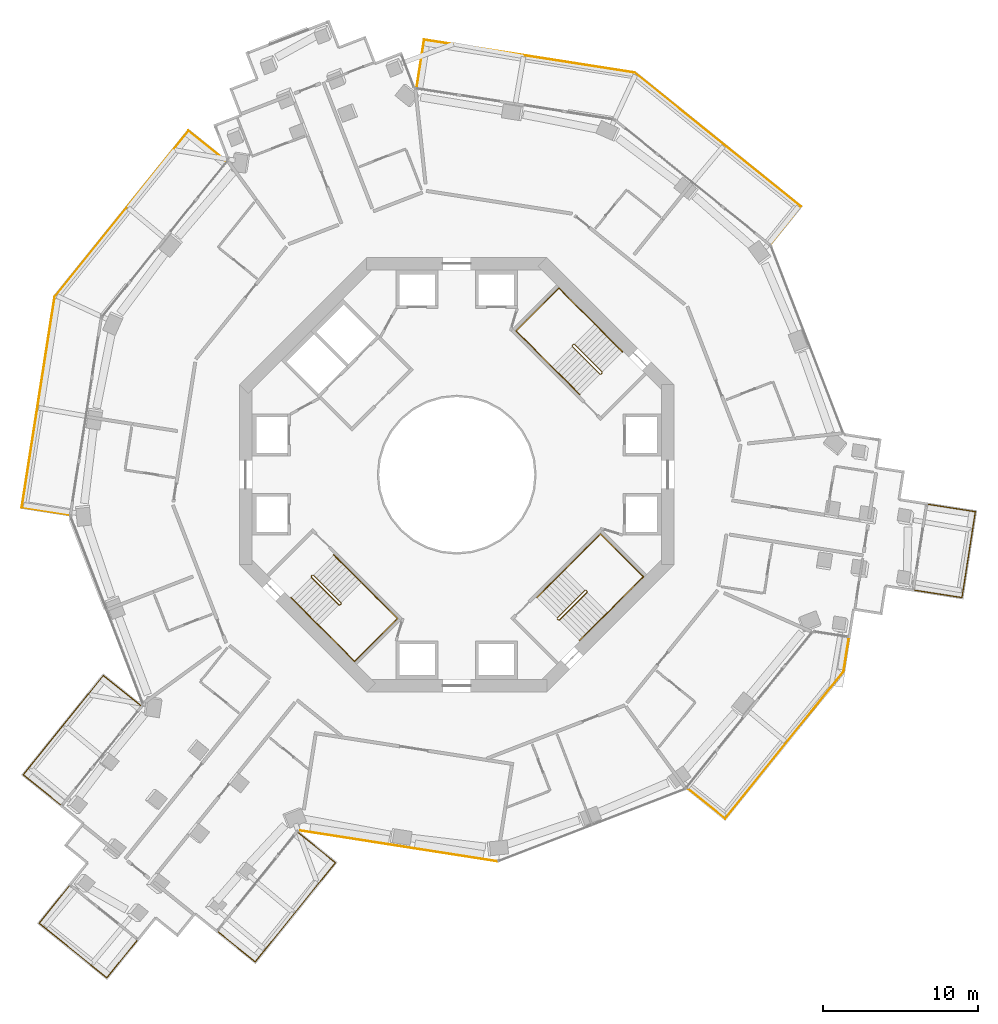
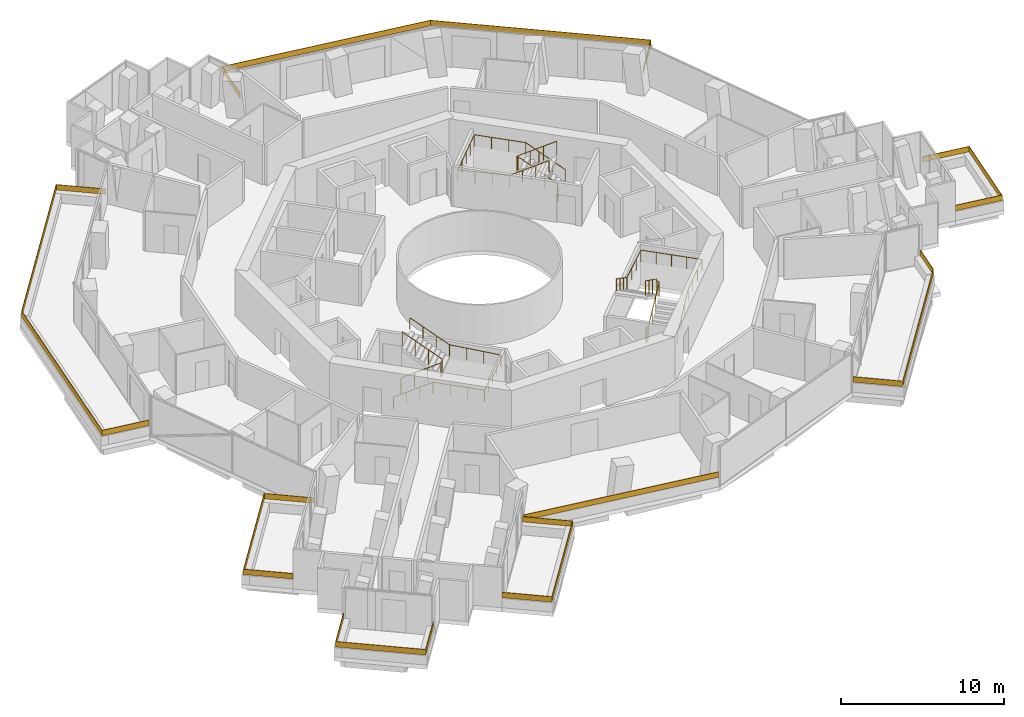
# One storey, part 23 of 23: 14 railings.
"""IFC4 building model written with IfcOpenShell, lengths in metres."""

from ifc_helpers import new_model, si_unit, direction, frame, origin, origin_2d, place, context, subcontext, project, spatial, polyline, rectangle, circle, outline, extrude, material, layer, layer_set, type_object, element, save


model = new_model("IFC4")

# Units and contexts
model_context = context("Model", 3, precision=1e-05, world=origin(), true_north=direction((0.0, 1.0)))
body_context = subcontext(model_context, "Body", "Model", "MODEL_VIEW")
ifc_project = project(units=[si_unit("LENGTHUNIT", "METRE"), si_unit("AREAUNIT", "SQUARE_METRE"), si_unit("VOLUMEUNIT", "CUBIC_METRE"), si_unit("PLANEANGLEUNIT", "RADIAN"), si_unit("MASSUNIT", "GRAM", prefix="KILO")], contexts=[model_context])

# Site, building, storey
site_placement = place(None, origin())
site = spatial("IfcSite", under=ifc_project, at=site_placement, CompositionType="ELEMENT")
building_placement = place(site_placement, origin())
building = spatial("IfcBuilding", under=site, at=building_placement, Name="Verdalira Terraces Hotel", CompositionType="ELEMENT")
storey_placement = place(building_placement, frame((0.0, 0.0, 118.5)))
storey = spatial("IfcBuildingStorey", under=building, at=storey_placement, Name="L28", CompositionType="ELEMENT", Elevation=118.5)

# Railings
ifc_material_1 = material(Name="Laminated glass", Category="glass")
ifc_layer = layer(ifc_material_1, 0.0400390625)
ifc_layer_set = layer_set([ifc_layer], Name="Balcony glass guard 400")
railing_type_1 = type_object("IfcRailingType", Name="Balcony glass guard 400", PredefinedType="GUARDRAIL", material=ifc_layer_set)
railing_1_placement = place(storey_placement, frame((0.0, 0.0, 0.699951)))
element("IfcRailing", 1, at=railing_1_placement, inside=storey, type_object=railing_type_1, Name="Balcony glass guard", PredefinedType="GUARDRAIL", context=body_context, shape_type="SweptSolid", body=[
    extrude(outline(polyline([(-17.2771, 22.126709), (-25.879883, 11.45752), (-27.995605, -2.083496), (-24.953369, -2.558838), (-24.959473, -2.598145), (-28.04126, -2.116699), (-25.917725, 11.474365), (-17.283203, 22.182861), (-14.855225, 20.225098), (-14.880371, 20.193848), (-17.2771, 22.126709)])), origin(), (0.0, 0.0, 1.0), 0.400146),
])
railing_2_placement = place(storey_placement, frame((0.0, 0.0, 0.699951)))
element("IfcRailing", 2, at=railing_2_placement, inside=storey, type_object=railing_type_1, Name="Balcony glass guard", PredefinedType="GUARDRAIL", context=body_context, shape_type="SweptSolid", body=[
    extrude(outline(polyline([(-22.759766, -12.964355), (-27.893311, -19.331055), (-25.496338, -21.263672), (-25.521484, -21.294922), (-27.949463, -19.337158), (-22.765869, -12.908203), (-20.337646, -14.865967), (-20.362793, -14.896973), (-22.759766, -12.964355)])), origin(), (0.0, 0.0, 1.0), 0.400146),
])
railing_3_placement = place(storey_placement, frame((0.0, 0.0, 0.699951)))
element("IfcRailing", 3, at=railing_3_placement, inside=storey, type_object=railing_type_1, Name="Balcony glass guard", PredefinedType="GUARDRAIL", context=body_context, shape_type="SweptSolid", body=[
    extrude(outline(polyline([(-26.868164, -28.892822), (-22.539795, -32.382812), (-20.607178, -29.98584), (-20.575928, -30.010986), (-22.533691, -32.438965), (-26.924316, -28.898926), (-24.966553, -26.470947), (-24.935547, -26.49585), (-26.868164, -28.892822)])), origin(), (0.0, 0.0, 1.0), 0.400146),
])
railing_4_placement = place(storey_placement, frame((0.0, 0.0, 0.699951)))
element("IfcRailing", 4, at=railing_4_placement, inside=storey, type_object=railing_type_1, Name="Balcony glass guard", PredefinedType="GUARDRAIL", context=body_context, shape_type="SweptSolid", body=[
    extrude(outline(polyline([(-12.978027, -31.357666), (-7.844482, -24.990967), (-10.241211, -23.05835), (-10.216064, -23.0271), (-7.788086, -24.984863), (-12.971924, -31.413818), (-15.399902, -29.456055), (-15.375, -29.424805), (-12.978027, -31.357666)])), origin(), (0.0, 0.0, 1.0), 0.400146),
])
railing_5_placement = place(storey_placement, frame((0.0, 0.0, 0.699951)))
element("IfcRailing", 5, at=railing_5_placement, inside=storey, type_object=railing_type_1, Name="Balcony glass guard", PredefinedType="GUARDRAIL", context=body_context, shape_type="SweptSolid", body=[
    extrude(outline(polyline([(17.2771, -22.126709), (24.898926, -12.674316), (25.235107, -10.522461), (25.274658, -10.528809), (24.936768, -12.690918), (17.283203, -22.182861), (14.855225, -20.225098), (14.880371, -20.193848), (17.2771, -22.126709)])), origin(), (0.0, 0.0, 1.0), 0.400146),
])
railing_6_placement = place(storey_placement, frame((0.0, 0.0, 0.699951)))
element("IfcRailing", 6, at=railing_6_placement, inside=storey, type_object=railing_type_1, Name="Balcony glass guard", PredefinedType="GUARDRAIL", context=body_context, shape_type="SweptSolid", body=[
    extrude(outline(polyline([(32.527832, -7.895752), (33.38623, -2.402588), (30.343994, -1.927246), (30.350342, -1.887695), (33.431885, -2.369141), (32.561279, -7.941406), (29.479736, -7.459961), (29.48584, -7.420654), (32.527832, -7.895752)])), origin(), (0.0, 0.0, 1.0), 0.400146),
])
railing_7_placement = place(storey_placement, frame((0.0, 0.0, 0.699951)))
element("IfcRailing", 7, at=railing_7_placement, inside=storey, type_object=railing_type_1, Name="Balcony glass guard", PredefinedType="GUARDRAIL", context=body_context, shape_type="SweptSolid", body=[
    extrude(outline(polyline([(22.126709, 17.2771), (11.45752, 25.879883), (-2.083496, 27.995605), (-2.558838, 24.953369), (-2.598145, 24.959473), (-2.116699, 28.04126), (11.474365, 25.917725), (22.182861, 17.283203), (20.225098, 14.855225), (20.193848, 14.880371), (22.126709, 17.2771)])), origin(), (0.0, 0.0, 1.0), 0.400146),
])
railing_8_placement = place(storey_placement, frame((-3.736816, -23.918213, 0.699951), z_axis=(0.0, 0.0, 1.0), x_axis=(0.98801381, -0.154365514, 0.0)))
element("IfcRailing", 8, at=railing_8_placement, inside=storey, type_object=railing_type_1, Name="Loggia glass guard", PredefinedType="GUARDRAIL", context=body_context, shape_type="SweptSolid", body=[
    extrude(rectangle(XDim=12.840088, YDim=0.040039, at=origin_2d()), origin(), (0.0, 0.0, 1.0), 0.399902),
])
ifc_material_2 = material(Name="Stainless steel", Category="steel")
railing_type_2 = type_object("IfcRailingType", Name="Stair guard 1100", PredefinedType="GUARDRAIL", material=ifc_material_2)
railing_9_placement = place(storey_placement, frame((9.369141, 6.540771, 0.0)))
element("IfcRailing", 9, at=railing_9_placement, inside=storey, type_object=railing_type_2, Name="L28 ST1 stair guard 1", PredefinedType="GUARDRAIL", context=body_context, shape_type="SweptSolid", body=[
    extrude(circle(Radius=0.023926, at=origin_2d()), frame((0.0, 0.0, 1.076172), z_axis=(-0.707106781, -0.707106781, 0.0), x_axis=(0.707106781, -0.707106781, 0.0)), (0.0, 0.0, 1.0), 0.100098),
    extrude(circle(Radius=0.023926, at=origin_2d()), frame((-0.070801, -0.070801, 1.076172), z_axis=(0.300162975, 0.599290904, 0.742127078), x_axis=(-0.894118129, 0.447831187, 0.0)), (0.0, 0.0, 1.0), 0.23584),
    extrude(circle(Radius=0.023926, at=origin_2d()), frame((0.0, 0.070557, 1.250977), z_axis=(-0.599637504, 0.599637504, 0.52997144), x_axis=(-0.707106781, -0.707106781, 0.0)), (0.0, 0.0, 1.0), 2.97168),
    extrude(circle(Radius=0.023926, at=origin_2d()), frame((-1.781982, 1.852539, 2.826172), z_axis=(-1.0, 0.0, 0.0), x_axis=(0.0, -1.0, 0.0)), (0.0, 0.0, 1.0), 0.070557),
    extrude(circle(Radius=0.023926, at=origin_2d()), frame((-1.852539, 1.852539, 2.826172), z_axis=(-0.70832698, -0.705884473, 0.0), x_axis=(0.705884473, -0.70832698, 0.0)), (0.0, 0.0, 1.0), 0.099854),
    extrude(circle(Radius=0.023926, at=origin_2d()), frame((-1.92334, 1.781982, 2.826172), z_axis=(0.0, -0.374954687, 0.92704314), x_axis=(1.0, 0.0, 0.0)), (0.0, 0.0, 1.0), 0.188721),
    extrude(circle(Radius=0.023926, at=origin_2d()), frame((-1.92334, 1.711182, 3.000977), z_axis=(0.599637504, -0.599637504, 0.52997144), x_axis=(0.707106781, 0.707106781, 0.0)), (0.0, 0.0, 1.0), 2.97168),
    extrude(circle(Radius=0.020996, at=origin_2d()), origin(), (0.0, 0.0, 1.0), 1.052002),
    extrude(circle(Radius=0.020996, at=origin_2d()), frame((-0.070801, -0.070801, 0.0)), (0.0, 0.0, 1.0), 1.052002),
    extrude(circle(Radius=0.020996, at=origin_2d()), frame((0.0, 0.070557, 0.175049)), (0.0, 0.0, 1.0), 1.052002),
    extrude(circle(Radius=0.020996, at=origin_2d()), frame((-0.593994, 0.664551, 0.699951)), (0.0, 0.0, 1.0), 1.052002),
    extrude(circle(Radius=0.020996, at=origin_2d()), frame((-1.187988, 1.258545, 1.225098)), (0.0, 0.0, 1.0), 1.052002),
    extrude(circle(Radius=0.020996, at=origin_2d()), frame((-1.781982, 1.852539, 1.75)), (0.0, 0.0, 1.0), 1.052002),
    extrude(circle(Radius=0.020996, at=origin_2d()), frame((-1.852539, 1.852539, 1.75)), (0.0, 0.0, 1.0), 1.052002),
    extrude(circle(Radius=0.020996, at=origin_2d()), frame((-1.92334, 1.781982, 1.75)), (0.0, 0.0, 1.0), 1.052002),
    extrude(circle(Radius=0.020996, at=origin_2d()), frame((-1.92334, 1.711182, 1.925049)), (0.0, 0.0, 1.0), 1.052002),
    extrude(circle(Radius=0.020996, at=origin_2d()), frame((-1.329346, 1.117188, 2.449951)), (0.0, 0.0, 1.0), 1.052002),
    extrude(circle(Radius=0.020996, at=origin_2d()), frame((-0.735352, 0.523193, 2.975098)), (0.0, 0.0, 1.0), 1.052002),
    extrude(circle(Radius=0.020996, at=origin_2d()), frame((-0.141357, -0.070801, 3.5)), (0.0, 0.0, 1.0), 1.052002),
])
railing_10_placement = place(storey_placement, frame((-9.369141, -6.540771, 0.0)))
element("IfcRailing", 10, at=railing_10_placement, inside=storey, type_object=railing_type_2, Name="L28 ST2 stair guard 1", PredefinedType="GUARDRAIL", context=body_context, shape_type="SweptSolid", body=[
    extrude(circle(Radius=0.023926, at=origin_2d()), frame((0.0, 0.0, 1.076172), z_axis=(0.707106781, 0.707106781, 0.0), x_axis=(-0.707106781, 0.707106781, 0.0)), (0.0, 0.0, 1.0), 0.100098),
    extrude(circle(Radius=0.023926, at=origin_2d()), frame((0.070801, 0.070801, 1.076172), z_axis=(-0.300162975, -0.599290904, 0.742127078), x_axis=(0.894118129, -0.447831187, 0.0)), (0.0, 0.0, 1.0), 0.23584),
    extrude(circle(Radius=0.023926, at=origin_2d()), frame((0.0, -0.070557, 1.250977), z_axis=(0.599637504, -0.599637504, 0.52997144), x_axis=(0.707106781, 0.707106781, 0.0)), (0.0, 0.0, 1.0), 2.97168),
    extrude(circle(Radius=0.023926, at=origin_2d()), frame((1.781982, -1.852539, 2.826172), z_axis=(1.0, 0.0, 0.0), x_axis=(0.0, 1.0, 0.0)), (0.0, 0.0, 1.0), 0.070557),
    extrude(circle(Radius=0.023926, at=origin_2d()), frame((1.852539, -1.852539, 2.826172), z_axis=(0.70832698, 0.705884473, 0.0), x_axis=(-0.705884473, 0.70832698, 0.0)), (0.0, 0.0, 1.0), 0.099854),
    extrude(circle(Radius=0.023926, at=origin_2d()), frame((1.92334, -1.781982, 2.826172), z_axis=(0.0, 0.374954687, 0.92704314), x_axis=(-1.0, 0.0, 0.0)), (0.0, 0.0, 1.0), 0.188721),
    extrude(circle(Radius=0.023926, at=origin_2d()), frame((1.92334, -1.711182, 3.000977), z_axis=(-0.599637504, 0.599637504, 0.52997144), x_axis=(-0.707106781, -0.707106781, 0.0)), (0.0, 0.0, 1.0), 2.97168),
    extrude(circle(Radius=0.020996, at=origin_2d()), origin(), (0.0, 0.0, 1.0), 1.052002),
    extrude(circle(Radius=0.020996, at=origin_2d()), frame((0.070801, 0.070801, 0.0)), (0.0, 0.0, 1.0), 1.052002),
    extrude(circle(Radius=0.020996, at=origin_2d()), frame((0.0, -0.070557, 0.175049)), (0.0, 0.0, 1.0), 1.052002),
    extrude(circle(Radius=0.020996, at=origin_2d()), frame((0.593994, -0.664551, 0.699951)), (0.0, 0.0, 1.0), 1.052002),
    extrude(circle(Radius=0.020996, at=origin_2d()), frame((1.187988, -1.258545, 1.225098)), (0.0, 0.0, 1.0), 1.052002),
    extrude(circle(Radius=0.020996, at=origin_2d()), frame((1.781982, -1.852539, 1.75)), (0.0, 0.0, 1.0), 1.052002),
    extrude(circle(Radius=0.020996, at=origin_2d()), frame((1.852539, -1.852539, 1.75)), (0.0, 0.0, 1.0), 1.052002),
    extrude(circle(Radius=0.020996, at=origin_2d()), frame((1.92334, -1.781982, 1.75)), (0.0, 0.0, 1.0), 1.052002),
    extrude(circle(Radius=0.020996, at=origin_2d()), frame((1.92334, -1.711182, 1.925049)), (0.0, 0.0, 1.0), 1.052002),
    extrude(circle(Radius=0.020996, at=origin_2d()), frame((1.329346, -1.117188, 2.449951)), (0.0, 0.0, 1.0), 1.052002),
    extrude(circle(Radius=0.020996, at=origin_2d()), frame((0.735352, -0.523193, 2.975098)), (0.0, 0.0, 1.0), 1.052002),
    extrude(circle(Radius=0.020996, at=origin_2d()), frame((0.141357, 0.070801, 3.5)), (0.0, 0.0, 1.0), 1.052002),
])
railing_11_placement = place(storey_placement, frame((6.540771, -9.369141, 0.0)))
element("IfcRailing", 11, at=railing_11_placement, inside=storey, type_object=railing_type_2, Name="L28 ST3 stair guard 1", PredefinedType="GUARDRAIL", context=body_context, shape_type="SweptSolid", body=[
    extrude(circle(Radius=0.023926, at=origin_2d()), frame((0.0, 0.0, 1.076172), z_axis=(-0.707106781, 0.707106781, 0.0), x_axis=(-0.707106781, -0.707106781, 0.0)), (0.0, 0.0, 1.0), 0.100098),
    extrude(circle(Radius=0.023926, at=origin_2d()), frame((-0.070801, 0.070801, 1.076172), z_axis=(0.599290904, -0.300162975, 0.742127078), x_axis=(0.447831187, 0.894118129, 0.0)), (0.0, 0.0, 1.0), 0.23584),
    extrude(circle(Radius=0.023926, at=origin_2d()), frame((0.070557, 0.0, 1.250977), z_axis=(0.599637504, 0.599637504, 0.52997144), x_axis=(-0.707106781, 0.707106781, 0.0)), (0.0, 0.0, 1.0), 2.97168),
    extrude(circle(Radius=0.023926, at=origin_2d()), frame((1.852539, 1.781982, 2.826172), z_axis=(0.0, 1.0, 0.0), x_axis=(-1.0, 0.0, 0.0)), (0.0, 0.0, 1.0), 0.070557),
    extrude(circle(Radius=0.023926, at=origin_2d()), frame((1.852539, 1.852539, 2.826172), z_axis=(-0.705884473, 0.70832698, 0.0), x_axis=(-0.70832698, -0.705884473, 0.0)), (0.0, 0.0, 1.0), 0.099854),
    extrude(circle(Radius=0.023926, at=origin_2d()), frame((1.781982, 1.92334, 2.826172), z_axis=(-0.374954687, 0.0, 0.92704314), x_axis=(0.0, -1.0, 0.0)), (0.0, 0.0, 1.0), 0.188721),
    extrude(circle(Radius=0.023926, at=origin_2d()), frame((1.711182, 1.92334, 3.000977), z_axis=(-0.599637504, -0.599637504, 0.52997144), x_axis=(0.707106781, -0.707106781, 0.0)), (0.0, 0.0, 1.0), 2.97168),
    extrude(circle(Radius=0.020996, at=origin_2d()), origin(), (0.0, 0.0, 1.0), 1.052002),
    extrude(circle(Radius=0.020996, at=origin_2d()), frame((-0.070801, 0.070801, 0.0)), (0.0, 0.0, 1.0), 1.052002),
    extrude(circle(Radius=0.020996, at=origin_2d()), frame((0.070557, 0.0, 0.175049)), (0.0, 0.0, 1.0), 1.052002),
    extrude(circle(Radius=0.020996, at=origin_2d()), frame((0.664551, 0.593994, 0.699951)), (0.0, 0.0, 1.0), 1.052002),
    extrude(circle(Radius=0.020996, at=origin_2d()), frame((1.258545, 1.187988, 1.225098)), (0.0, 0.0, 1.0), 1.052002),
    extrude(circle(Radius=0.020996, at=origin_2d()), frame((1.852539, 1.781982, 1.75)), (0.0, 0.0, 1.0), 1.052002),
    extrude(circle(Radius=0.020996, at=origin_2d()), frame((1.852539, 1.852539, 1.75)), (0.0, 0.0, 1.0), 1.052002),
    extrude(circle(Radius=0.020996, at=origin_2d()), frame((1.781982, 1.92334, 1.75)), (0.0, 0.0, 1.0), 1.052002),
    extrude(circle(Radius=0.020996, at=origin_2d()), frame((1.711182, 1.92334, 1.925049)), (0.0, 0.0, 1.0), 1.052002),
    extrude(circle(Radius=0.020996, at=origin_2d()), frame((1.117188, 1.329346, 2.449951)), (0.0, 0.0, 1.0), 1.052002),
    extrude(circle(Radius=0.020996, at=origin_2d()), frame((0.523193, 0.735352, 2.975098)), (0.0, 0.0, 1.0), 1.052002),
    extrude(circle(Radius=0.020996, at=origin_2d()), frame((-0.070801, 0.141357, 3.5)), (0.0, 0.0, 1.0), 1.052002),
])
ifc_material_3 = material(Name="Stainless steel", Category="steel")
railing_type_3 = type_object("IfcRailingType", Name="Stair handrail 900", PredefinedType="HANDRAIL", material=ifc_material_3)
railing_12_placement = place(storey_placement, frame((10.677246, 7.919678, 0.175049)))
element("IfcRailing", 12, at=railing_12_placement, inside=storey, type_object=railing_type_3, Name="L28 ST1 stair handrail 1", PredefinedType="HANDRAIL", context=body_context, shape_type="SweptSolid", body=[
    extrude(circle(Radius=0.023926, at=origin_2d()), frame((0.0, 0.0, 0.875977), z_axis=(-0.599614426, 0.599614426, 0.530023659), x_axis=(-0.707106781, -0.707106781, 0.0)), (0.0, 0.0, 1.0), 2.971436),
    extrude(circle(Radius=0.023926, at=origin_2d()), frame((-1.781738, 1.781738, 2.450684), z_axis=(-0.707106781, 0.707106781, 0.0), x_axis=(-0.707106781, -0.707106781, 0.0)), (0.0, 0.0, 1.0), 3.280029),
    extrude(circle(Radius=0.023926, at=origin_2d()), frame((-4.101074, 4.101074, 2.450684), z_axis=(-0.707138081, -0.70707548, 0.0), x_axis=(0.70707548, -0.707138081, 0.0)), (0.0, 0.0, 1.0), 3.899902),
    extrude(circle(Radius=0.023926, at=origin_2d()), frame((-6.858887, 1.343506, 2.450684), z_axis=(0.706101958, -0.706101958, 0.053292116), x_axis=(0.707106781, 0.707106781, 0.0)), (0.0, 0.0, 1.0), 3.284668),
    extrude(circle(Radius=0.023926, at=origin_2d()), frame((-4.539551, -0.97583, 2.625977), z_axis=(0.599637504, -0.599637504, 0.52997144), x_axis=(0.707106781, 0.707106781, 0.0)), (0.0, 0.0, 1.0), 2.97168),
    extrude(circle(Radius=0.020996, at=origin_2d()), origin(), (0.0, 0.0, 1.0), 0.851807),
    extrude(circle(Radius=0.020996, at=origin_2d()), frame((-0.593994, 0.593994, 0.524902)), (0.0, 0.0, 1.0), 0.851807),
    extrude(circle(Radius=0.020996, at=origin_2d()), frame((-1.187744, 1.187744, 1.050049)), (0.0, 0.0, 1.0), 0.851807),
    extrude(circle(Radius=0.020996, at=origin_2d()), frame((-1.781738, 1.781738, 1.574951)), (0.0, 0.0, 1.0), 0.851807),
    extrude(circle(Radius=0.020996, at=origin_2d()), frame((-2.554932, 2.554932, 1.574951)), (0.0, 0.0, 1.0), 0.851807),
    extrude(circle(Radius=0.020996, at=origin_2d()), frame((-3.327881, 3.327881, 1.574951)), (0.0, 0.0, 1.0), 0.851807),
    extrude(circle(Radius=0.020996, at=origin_2d()), frame((-4.101074, 4.101074, 1.574951)), (0.0, 0.0, 1.0), 0.851807),
    extrude(circle(Radius=0.020996, at=origin_2d()), frame((-4.790527, 3.411621, 1.574951)), (0.0, 0.0, 1.0), 0.851807),
    extrude(circle(Radius=0.020996, at=origin_2d()), frame((-5.47998, 2.722168, 1.574951)), (0.0, 0.0, 1.0), 0.851807),
    extrude(circle(Radius=0.020996, at=origin_2d()), frame((-6.169434, 2.032959, 1.574951)), (0.0, 0.0, 1.0), 0.851807),
    extrude(circle(Radius=0.020996, at=origin_2d()), frame((-6.858887, 1.343506, 1.574951)), (0.0, 0.0, 1.0), 0.851807),
    extrude(circle(Radius=0.020996, at=origin_2d()), frame((-6.085693, 0.570312, 1.633301)), (0.0, 0.0, 1.0), 0.851807),
    extrude(circle(Radius=0.020996, at=origin_2d()), frame((-5.312744, -0.202637, 1.69165)), (0.0, 0.0, 1.0), 0.851807),
    extrude(circle(Radius=0.020996, at=origin_2d()), frame((-4.539551, -0.97583, 1.75)), (0.0, 0.0, 1.0), 0.851807),
    extrude(circle(Radius=0.020996, at=origin_2d()), frame((-3.945557, -1.569824, 2.274902)), (0.0, 0.0, 1.0), 0.851807),
    extrude(circle(Radius=0.020996, at=origin_2d()), frame((-3.351562, -2.163818, 2.800049)), (0.0, 0.0, 1.0), 0.851807),
    extrude(circle(Radius=0.020996, at=origin_2d()), frame((-2.757568, -2.757812, 3.324951)), (0.0, 0.0, 1.0), 0.851807),
])
railing_13_placement = place(storey_placement, frame((-10.677246, -7.919678, 0.175049)))
element("IfcRailing", 13, at=railing_13_placement, inside=storey, type_object=railing_type_3, Name="L28 ST2 stair handrail 1", PredefinedType="HANDRAIL", context=body_context, shape_type="SweptSolid", body=[
    extrude(circle(Radius=0.023926, at=origin_2d()), frame((0.0, 0.0, 0.875977), z_axis=(0.599614426, -0.599614426, 0.530023659), x_axis=(0.707106781, 0.707106781, 0.0)), (0.0, 0.0, 1.0), 2.971436),
    extrude(circle(Radius=0.023926, at=origin_2d()), frame((1.781738, -1.781738, 2.450684), z_axis=(0.707106781, -0.707106781, 0.0), x_axis=(0.707106781, 0.707106781, 0.0)), (0.0, 0.0, 1.0), 3.280029),
    extrude(circle(Radius=0.023926, at=origin_2d()), frame((4.101074, -4.101074, 2.450684), z_axis=(0.707138081, 0.70707548, 0.0), x_axis=(-0.70707548, 0.707138081, 0.0)), (0.0, 0.0, 1.0), 3.899902),
    extrude(circle(Radius=0.023926, at=origin_2d()), frame((6.858887, -1.343506, 2.450684), z_axis=(-0.706101958, 0.706101958, 0.053292116), x_axis=(-0.707106781, -0.707106781, 0.0)), (0.0, 0.0, 1.0), 3.284668),
    extrude(circle(Radius=0.023926, at=origin_2d()), frame((4.539551, 0.97583, 2.625977), z_axis=(-0.599637504, 0.599637504, 0.52997144), x_axis=(-0.707106781, -0.707106781, 0.0)), (0.0, 0.0, 1.0), 2.97168),
    extrude(circle(Radius=0.020996, at=origin_2d()), origin(), (0.0, 0.0, 1.0), 0.851807),
    extrude(circle(Radius=0.020996, at=origin_2d()), frame((0.593994, -0.593994, 0.524902)), (0.0, 0.0, 1.0), 0.851807),
    extrude(circle(Radius=0.020996, at=origin_2d()), frame((1.187744, -1.187744, 1.050049)), (0.0, 0.0, 1.0), 0.851807),
    extrude(circle(Radius=0.020996, at=origin_2d()), frame((1.781738, -1.781738, 1.574951)), (0.0, 0.0, 1.0), 0.851807),
    extrude(circle(Radius=0.020996, at=origin_2d()), frame((2.554932, -2.554932, 1.574951)), (0.0, 0.0, 1.0), 0.851807),
    extrude(circle(Radius=0.020996, at=origin_2d()), frame((3.327881, -3.327881, 1.574951)), (0.0, 0.0, 1.0), 0.851807),
    extrude(circle(Radius=0.020996, at=origin_2d()), frame((4.101074, -4.101074, 1.574951)), (0.0, 0.0, 1.0), 0.851807),
    extrude(circle(Radius=0.020996, at=origin_2d()), frame((4.790527, -3.411621, 1.574951)), (0.0, 0.0, 1.0), 0.851807),
    extrude(circle(Radius=0.020996, at=origin_2d()), frame((5.47998, -2.722168, 1.574951)), (0.0, 0.0, 1.0), 0.851807),
    extrude(circle(Radius=0.020996, at=origin_2d()), frame((6.169434, -2.032959, 1.574951)), (0.0, 0.0, 1.0), 0.851807),
    extrude(circle(Radius=0.020996, at=origin_2d()), frame((6.858887, -1.343506, 1.574951)), (0.0, 0.0, 1.0), 0.851807),
    extrude(circle(Radius=0.020996, at=origin_2d()), frame((6.085693, -0.570312, 1.633301)), (0.0, 0.0, 1.0), 0.851807),
    extrude(circle(Radius=0.020996, at=origin_2d()), frame((5.312744, 0.202637, 1.69165)), (0.0, 0.0, 1.0), 0.851807),
    extrude(circle(Radius=0.020996, at=origin_2d()), frame((4.539551, 0.97583, 1.75)), (0.0, 0.0, 1.0), 0.851807),
    extrude(circle(Radius=0.020996, at=origin_2d()), frame((3.945557, 1.569824, 2.274902)), (0.0, 0.0, 1.0), 0.851807),
    extrude(circle(Radius=0.020996, at=origin_2d()), frame((3.351562, 2.163818, 2.800049)), (0.0, 0.0, 1.0), 0.851807),
    extrude(circle(Radius=0.020996, at=origin_2d()), frame((2.757568, 2.757812, 3.324951)), (0.0, 0.0, 1.0), 0.851807),
])
railing_14_placement = place(storey_placement, frame((7.919678, -10.677246, 0.175049)))
element("IfcRailing", 14, at=railing_14_placement, inside=storey, type_object=railing_type_3, Name="L28 ST3 stair handrail 1", PredefinedType="HANDRAIL", context=body_context, shape_type="SweptSolid", body=[
    extrude(circle(Radius=0.023926, at=origin_2d()), frame((0.0, 0.0, 0.875977), z_axis=(0.599614426, 0.599614426, 0.530023659), x_axis=(-0.707106781, 0.707106781, 0.0)), (0.0, 0.0, 1.0), 2.971436),
    extrude(circle(Radius=0.023926, at=origin_2d()), frame((1.781738, 1.781738, 2.450684), z_axis=(0.707106781, 0.707106781, 0.0), x_axis=(-0.707106781, 0.707106781, 0.0)), (0.0, 0.0, 1.0), 3.280029),
    extrude(circle(Radius=0.023926, at=origin_2d()), frame((4.101074, 4.101074, 2.450684), z_axis=(-0.70707548, 0.707138081, 0.0), x_axis=(-0.707138081, -0.70707548, 0.0)), (0.0, 0.0, 1.0), 3.899902),
    extrude(circle(Radius=0.023926, at=origin_2d()), frame((1.343506, 6.858887, 2.450684), z_axis=(-0.706101958, -0.706101958, 0.053292116), x_axis=(0.707106781, -0.707106781, 0.0)), (0.0, 0.0, 1.0), 3.284668),
    extrude(circle(Radius=0.023926, at=origin_2d()), frame((-0.97583, 4.539551, 2.625977), z_axis=(-0.599637504, -0.599637504, 0.52997144), x_axis=(0.707106781, -0.707106781, 0.0)), (0.0, 0.0, 1.0), 2.97168),
    extrude(circle(Radius=0.020996, at=origin_2d()), origin(), (0.0, 0.0, 1.0), 0.851807),
    extrude(circle(Radius=0.020996, at=origin_2d()), frame((0.593994, 0.593994, 0.524902)), (0.0, 0.0, 1.0), 0.851807),
    extrude(circle(Radius=0.020996, at=origin_2d()), frame((1.187744, 1.187744, 1.050049)), (0.0, 0.0, 1.0), 0.851807),
    extrude(circle(Radius=0.020996, at=origin_2d()), frame((1.781738, 1.781738, 1.574951)), (0.0, 0.0, 1.0), 0.851807),
    extrude(circle(Radius=0.020996, at=origin_2d()), frame((2.554932, 2.554932, 1.574951)), (0.0, 0.0, 1.0), 0.851807),
    extrude(circle(Radius=0.020996, at=origin_2d()), frame((3.327881, 3.327881, 1.574951)), (0.0, 0.0, 1.0), 0.851807),
    extrude(circle(Radius=0.020996, at=origin_2d()), frame((4.101074, 4.101074, 1.574951)), (0.0, 0.0, 1.0), 0.851807),
    extrude(circle(Radius=0.020996, at=origin_2d()), frame((3.411621, 4.790527, 1.574951)), (0.0, 0.0, 1.0), 0.851807),
    extrude(circle(Radius=0.020996, at=origin_2d()), frame((2.722168, 5.47998, 1.574951)), (0.0, 0.0, 1.0), 0.851807),
    extrude(circle(Radius=0.020996, at=origin_2d()), frame((2.032959, 6.169434, 1.574951)), (0.0, 0.0, 1.0), 0.851807),
    extrude(circle(Radius=0.020996, at=origin_2d()), frame((1.343506, 6.858887, 1.574951)), (0.0, 0.0, 1.0), 0.851807),
    extrude(circle(Radius=0.020996, at=origin_2d()), frame((0.570312, 6.085693, 1.633301)), (0.0, 0.0, 1.0), 0.851807),
    extrude(circle(Radius=0.020996, at=origin_2d()), frame((-0.202637, 5.312744, 1.69165)), (0.0, 0.0, 1.0), 0.851807),
    extrude(circle(Radius=0.020996, at=origin_2d()), frame((-0.97583, 4.539551, 1.75)), (0.0, 0.0, 1.0), 0.851807),
    extrude(circle(Radius=0.020996, at=origin_2d()), frame((-1.569824, 3.945557, 2.274902)), (0.0, 0.0, 1.0), 0.851807),
    extrude(circle(Radius=0.020996, at=origin_2d()), frame((-2.163818, 3.351562, 2.800049)), (0.0, 0.0, 1.0), 0.851807),
    extrude(circle(Radius=0.020996, at=origin_2d()), frame((-2.757812, 2.757568, 3.324951)), (0.0, 0.0, 1.0), 0.851807),
])

save(model, "model.ifc")
